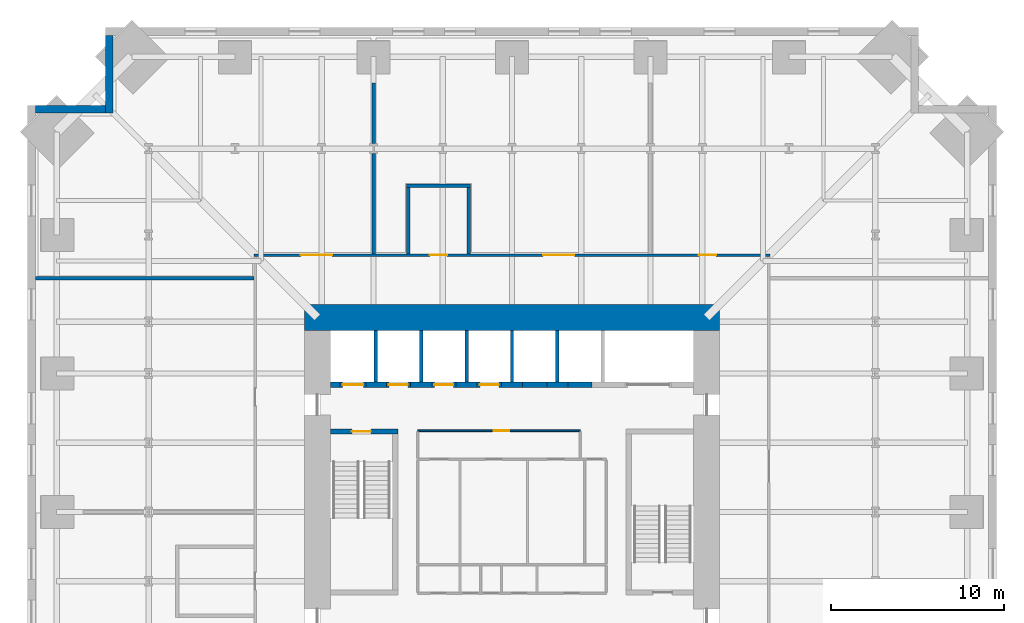
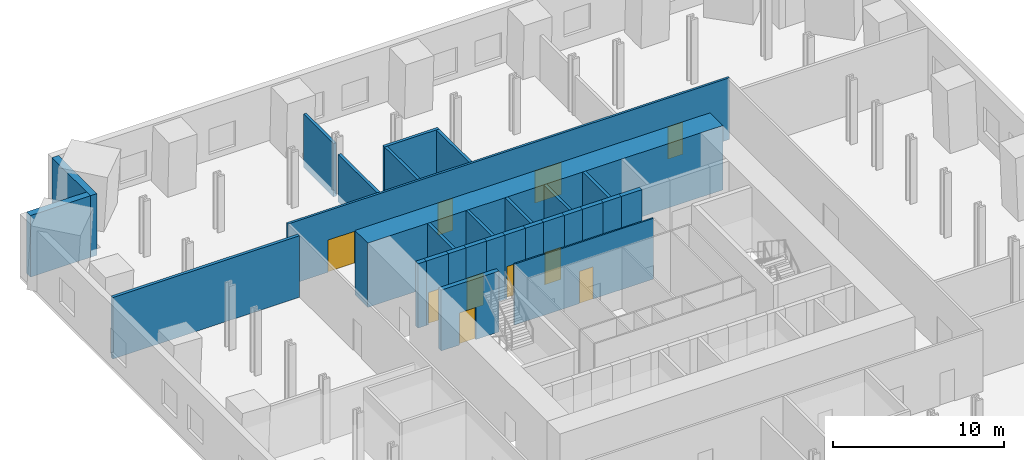
# One storey, part 6 of 8: 29 walls, 10 doors, 10 openings.
"""IFC4 building model written with IfcOpenShell, lengths in metres."""

import ifcopenshell
import ifcopenshell.guid

model = None  # the IFC model being written
_history = None  # IfcOwnerHistory: only IFC2X3 demands one
_inside = {}  # id of a spatial element -> (the spatial element, [elements in it])
_under = {}  # id of a project, library or spatial element -> (it, [spatial elements below it])
_declared = {}  # id of a project -> (the project, [libraries it declares])
_typed = {}  # id of a type object -> (the type object, [elements of that type])
_made_of = {}  # id of a material, layer set ... -> (it, [elements and type objects made of it])


def new_model(schema):
    """Start an empty IFC model of exactly this schema.

    Asked for "IFC4X3", IfcOpenShell would pick the latest addendum, in which some entities
    have other attributes; the version numbers below select the first issue.
    IFC2X3 requires an IfcOwnerHistory on every rooted entity: one is made here for all.
    """
    global model, _history
    if schema == "IFC4X3":
        model = ifcopenshell.file(schema_version=(4, 3, 0, 0))
    else:
        model = ifcopenshell.file(schema=schema)
    _inside.clear()
    _under.clear()
    _declared.clear()
    _typed.clear()
    _made_of.clear()
    _history = None
    if model.schema == "IFC2X3":
        org = make("IfcOrganization", Name="unknown")
        user = make(
            "IfcPersonAndOrganization",
            ThePerson=make("IfcPerson", FamilyName="unknown"),
            TheOrganization=org,
        )
        app = make(
            "IfcApplication",
            ApplicationDeveloper=org,
            Version="unknown",
            ApplicationFullName="unknown",
            ApplicationIdentifier="unknown",
        )
        _history = make(
            "IfcOwnerHistory",
            OwningUser=user,
            OwningApplication=app,
            ChangeAction="ADDED",
            CreationDate=0,
        )
    return model


def make(cls, **values):
    """One entity of the class cls with the attributes given. An attribute that is None is left unset."""
    return model.create_entity(
        cls, **{name: value for name, value in values.items() if value is not None}
    )


def rooted(cls, **values):
    """An entity with a GlobalId (a new one), such as an element, a storey or a relation."""
    return make(cls, GlobalId=ifcopenshell.guid.new(), OwnerHistory=_history, **values)


def si_unit(unit_type, name, prefix=None):
    """IfcSIUnit, for example si_unit("LENGTHUNIT", "METRE", prefix="MILLI")."""
    return make("IfcSIUnit", UnitType=unit_type, Prefix=prefix, Name=name)


def assignment(units):
    """IfcUnitAssignment: the units of a project."""
    return None if units is None else make("IfcUnitAssignment", Units=units)


def point(xyz):
    """IfcCartesianPoint."""
    return None if xyz is None else make("IfcCartesianPoint", Coordinates=xyz)


def direction(xyz):
    """IfcDirection."""
    return None if xyz is None else make("IfcDirection", DirectionRatios=xyz)


def frame(location, z_axis=None, x_axis=None):
    """IfcAxis2Placement3D, a coordinate frame: its origin and axes. An axis left out is left unset."""
    return make(
        "IfcAxis2Placement3D",
        Location=point(location),
        Axis=direction(z_axis),
        RefDirection=direction(x_axis),
    )


def frame_2d(location, x_axis=None):
    """IfcAxis2Placement2D, a coordinate frame in the plane: its origin and x axis."""
    return make(
        "IfcAxis2Placement2D", Location=point(location), RefDirection=direction(x_axis)
    )


def origin():
    """The frame at (0, 0, 0) with its axes left unset."""
    return frame((0.0, 0.0, 0.0))


def place(relative_to, where):
    """IfcLocalPlacement: puts the frame where relative to a parent placement (None: the world)."""
    return make(
        "IfcLocalPlacement", PlacementRelTo=relative_to, RelativePlacement=where
    )


def context(
    kind, dimensions, precision=None, world=None, true_north=None, identifier=None
):
    """IfcGeometricRepresentationContext, for example the 3D "Model" context."""
    return make(
        "IfcGeometricRepresentationContext",
        ContextIdentifier=identifier,
        ContextType=kind,
        CoordinateSpaceDimension=dimensions,
        Precision=precision,
        WorldCoordinateSystem=world,
        TrueNorth=true_north,
    )


def subcontext(parent, identifier, kind, view, scale=None):
    """IfcGeometricRepresentationSubContext, for example "Body" below "Model"."""
    return make(
        "IfcGeometricRepresentationSubContext",
        ContextIdentifier=identifier,
        ContextType=kind,
        ParentContext=parent,
        TargetScale=scale,
        TargetView=view,
    )


def project(units=None, contexts=None):
    """IfcProject with its units and contexts."""
    return rooted(
        "IfcProject",
        Name="project",
        RepresentationContexts=contexts,
        UnitsInContext=assignment(units),
    )


def spatial(cls, under=None, at=None, **own):
    """A site, building, storey or space (cls), placed at a placement, below another one or the project."""
    s = rooted(cls, ObjectPlacement=at, **own)
    if under is not None:
        _under.setdefault(under.id(), (under, []))[1].append(s)
    return s


def profile(cls, at=None, kind="AREA", **sizes):
    """A parametric profile (cls). Its sizes go by their IFC names, for example OverallWidth=200.0."""
    return make(cls, ProfileType=kind, Position=at, **sizes)


def rectangle(**sizes):
    """IfcRectangleProfileDef."""
    return profile("IfcRectangleProfileDef", **sizes)


def extrude(swept, where, along, depth):
    """IfcExtrudedAreaSolid: the profile swept, set in the frame where, extruded along a direction by depth."""
    return make(
        "IfcExtrudedAreaSolid",
        SweptArea=swept,
        Position=where,
        ExtrudedDirection=direction(along),
        Depth=depth,
    )


def shape(context_of_items, identifier, shape_type, items):
    """IfcShapeRepresentation: the items that make up one representation, for example the "Body"."""
    return make(
        "IfcShapeRepresentation",
        ContextOfItems=context_of_items,
        RepresentationIdentifier=identifier,
        RepresentationType=shape_type,
        Items=items,
    )


def material(Name=None, Category=None):
    """IfcMaterial."""
    return make("IfcMaterial", Name=Name, Category=Category)


def layer(
    of_material, thickness, ventilated=None, Name=None, Category=None, Priority=None
):
    """IfcMaterialLayer: one layer of a wall or slab, of a material (None: an air gap)."""
    return make(
        "IfcMaterialLayer",
        Material=of_material,
        LayerThickness=thickness,
        IsVentilated=ventilated,
        Name=Name,
        Category=Category,
        Priority=Priority,
    )


def layer_set(layers, Name=None):
    """IfcMaterialLayerSet."""
    return make("IfcMaterialLayerSet", MaterialLayers=layers, LayerSetName=Name)


def made_of(thing, what):
    """Note that an element or type object is made of a material, layer set ...; save() writes the relation."""
    if what is not None:
        _made_of.setdefault(what.id(), (what, []))[1].append(thing)
    return thing


def type_object(cls, material=None, **own):
    """A type object (cls), such as IfcWallType, which elements share."""
    return made_of(rooted(cls, **own), material)


def element(
    cls,
    number,
    at=None,
    inside=None,
    cuts=None,
    type_object=None,
    material=None,
    context=None,
    identifier="Body",
    shape_type=None,
    held_by="IfcProductDefinitionShape",
    body=None,
    shapes=None,
    **own,
):
    """One element of the class cls, such as IfcWall. Its Tag is "e" and its number.

    at: its placement. inside: the storey or other place that contains it. cuts: it is an
    opening in that element (IfcRelVoidsElement). A single representation is given by context,
    identifier, shape_type and body (its items); several are given by shapes. held_by: the class
    of the entity that holds the representations. save() writes the other relations.
    """
    e = rooted(cls, Tag="e%d" % number, ObjectPlacement=at, **own)
    if body is not None:
        shapes = [shape(context, identifier, shape_type, body)]
    if shapes is not None:
        e.Representation = make(held_by, Representations=shapes)
    if inside is not None:
        _inside.setdefault(inside.id(), (inside, []))[1].append(e)
    if cuts is not None:
        rooted(
            "IfcRelVoidsElement", RelatingBuildingElement=cuts, RelatedOpeningElement=e
        )
    if type_object is not None:
        _typed.setdefault(type_object.id(), (type_object, []))[1].append(e)
    return made_of(e, material)


def fill(opening, filler):
    """IfcRelFillsElement: the door or window that sits in an opening."""
    return rooted(
        "IfcRelFillsElement",
        RelatingOpeningElement=opening,
        RelatedBuildingElement=filler,
    )


def aggregate(whole, parts):
    """IfcRelAggregates: a whole, such as a stair, and the parts it consists of."""
    return rooted("IfcRelAggregates", RelatingObject=whole, RelatedObjects=parts)


def save(model, path):
    """Write the relations noted so far, then the file.

    IfcRelAggregates (storeys below a building ...), IfcRelContainedInSpatialStructure (elements
    in a storey), IfcRelDefinesByType, IfcRelAssociatesMaterial and IfcRelDeclares: one each for
    every whole, place, type object, material and project.
    """
    for whole, parts in _under.values():
        aggregate(whole, parts)
    for where, things in _inside.values():
        rooted(
            "IfcRelContainedInSpatialStructure",
            RelatedElements=things,
            RelatingStructure=where,
        )
    for kind, things in _typed.values():
        rooted("IfcRelDefinesByType", RelatedObjects=things, RelatingType=kind)
    for what, things in _made_of.values():
        rooted("IfcRelAssociatesMaterial", RelatedObjects=things, RelatingMaterial=what)
    for by, libraries in _declared.values():
        rooted("IfcRelDeclares", RelatingContext=by, RelatedDefinitions=libraries)
    model.write(path)


model = new_model("IFC4")

# Units and contexts
model_context = context("Model", 3, precision=1e-05, world=origin(), true_north=direction((0.0, 1.0)))
body_context = subcontext(model_context, "Body", "Model", "MODEL_VIEW")
ifc_project = project(units=[si_unit("LENGTHUNIT", "METRE"), si_unit("AREAUNIT", "SQUARE_METRE"), si_unit("VOLUMEUNIT", "CUBIC_METRE"), si_unit("PLANEANGLEUNIT", "RADIAN"), si_unit("MASSUNIT", "GRAM", prefix="KILO")], contexts=[model_context])

# Site, building, storey
site_placement = place(None, origin())
site = spatial("IfcSite", under=ifc_project, at=site_placement, CompositionType="ELEMENT")
building_placement = place(site_placement, origin())
building = spatial("IfcBuilding", under=site, at=building_placement, Name="Peilmerk Tower", CompositionType="ELEMENT")
storey_placement = place(building_placement, frame((0.0, 0.0, 113.60009765625)))
storey = spatial("IfcBuildingStorey", under=building, at=storey_placement, Name="L22", CompositionType="ELEMENT", Elevation=113.60009765625)

# Walls
ifc_material_1 = material(Name="Precast concrete C45/55, board-marked finish", Category="concrete")
ifc_layer_1 = layer(ifc_material_1, 0.449951171875)
ifc_layer_set_1 = layer_set([ifc_layer_1], Name="Precast concrete C45/55, board-marked finish")
wall_type_1 = type_object("IfcWallType", Name="EW1 450 precast concrete facade wall, board-marked", PredefinedType="SOLIDWALL", material=ifc_layer_set_1)
wall_1_placement = place(storey_placement, frame((-23.27490234375, 23.050048828125, 0.0), z_axis=(0.0, 0.0, 1.0), x_axis=(0.0, 1.0, 0.0)))
element("IfcWall", 1, at=wall_1_placement, inside=storey, type_object=wall_type_1, Name="Facade wall NWA L22", PredefinedType="SOLIDWALL", context=body_context, shape_type="SweptSolid", body=[
    extrude(rectangle(XDim=4.5, YDim=0.449951171875, at=frame_2d((2.25, 0.0))), origin(), (0.0, 0.0, 1.0), 4.39990234375),
])
wall_2_placement = place(storey_placement, frame((-23.5, 23.27490234375, 0.0), z_axis=(0.0, 0.0, 1.0), x_axis=(-1.0, 0.0, 0.0)))
element("IfcWall", 2, at=wall_2_placement, inside=storey, type_object=wall_type_1, Name="Facade wall NWB L22", PredefinedType="SOLIDWALL", context=body_context, shape_type="SweptSolid", body=[
    extrude(rectangle(XDim=4.050048828125, YDim=0.449951171875, at=frame_2d((2.02490234375, 0.0))), origin(), (0.0, 0.0, 1.0), 4.39990234375),
])

# Wall, openings, doors
ifc_material_2 = material(Name="Calcium silicate block", Category="masonry")
ifc_layer_2 = layer(ifc_material_2, 0.14990234375)
ifc_layer_set_2 = layer_set([ifc_layer_2], Name="Calcium silicate block")
wall_type_2 = type_object("IfcWallType", Name="IW1 150 corridor partition, EI 60", PredefinedType="PARTITIONING", material=ifc_layer_set_2)
wall_3_placement = place(storey_placement, frame((-14.925048828125, 14.85009765625, 0.0), z_axis=(0.0, 0.0, 1.0), x_axis=(1.0, 0.0, 0.0)))
wall_3 = element("IfcWall", 3, at=wall_3_placement, inside=storey, type_object=wall_type_2, Name="Corridor wall N L22", PredefinedType="PARTITIONING", context=body_context, shape_type="SweptSolid", body=[
    extrude(rectangle(XDim=29.85009765625, YDim=0.14990234375, at=frame_2d((14.925048828125, 0.0))), origin(), (0.0, 0.0, 1.0), 4.39990234375),
])
opening_1_placement = place(wall_3_placement, frame((2.72509765625, 0.0, 0.0)))
opening_1 = element("IfcOpeningElement", 4, at=opening_1_placement, cuts=wall_3, Name="Opening D2", PredefinedType="OPENING", context=body_context, shape_type="SweptSolid", body=[
    extrude(rectangle(XDim=1.800048828125, YDim=2.300048828125, at=frame_2d((0.89990234375, 1.14990234375))), frame((0.0, 0.0849609375, 0.0), z_axis=(0.0, -1.0, 0.0), x_axis=(1.0, 0.0, 0.0)), (0.0, 0.0, 1.0), 0.169921875),
])
opening_2_placement = place(wall_3_placement, frame((16.72509765625, 0.0, 0.0)))
opening_2 = element("IfcOpeningElement", 5, at=opening_2_placement, cuts=wall_3, Name="Opening D2", PredefinedType="OPENING", context=body_context, shape_type="SweptSolid", body=[
    extrude(rectangle(XDim=1.800048828125, YDim=2.300048828125, at=frame_2d((0.89990234375, 1.14990234375))), frame((0.0, 0.0849609375, 0.0), z_axis=(0.0, -1.0, 0.0), x_axis=(1.0, 0.0, 0.0)), (0.0, 0.0, 1.0), 0.169921875),
])
opening_3_placement = place(wall_3_placement, frame((25.72509765625, 0.0, 0.0)))
opening_3 = element("IfcOpeningElement", 6, at=opening_3_placement, cuts=wall_3, Name="Opening D1", PredefinedType="OPENING", context=body_context, shape_type="SweptSolid", body=[
    extrude(rectangle(XDim=1.0, YDim=2.300048828125, at=frame_2d((0.5, 1.14990234375))), frame((0.0, 0.0849609375, 0.0), z_axis=(0.0, -1.0, 0.0), x_axis=(1.0, 0.0, 0.0)), (0.0, 0.0, 1.0), 0.169921875),
])
opening_4_placement = place(wall_3_placement, frame((10.175048828125, 0.0, 0.0)))
opening_4 = element("IfcOpeningElement", 7, at=opening_4_placement, cuts=wall_3, Name="Opening D1", PredefinedType="OPENING", context=body_context, shape_type="SweptSolid", body=[
    extrude(rectangle(XDim=1.0, YDim=2.300048828125, at=frame_2d((0.5, 1.14990234375))), frame((0.0, 0.0849609375, 0.0), z_axis=(0.0, -1.0, 0.0), x_axis=(1.0, 0.0, 0.0)), (0.0, 0.0, 1.0), 0.169921875),
])
ifc_material_3 = material(Name="Timber door in steel frame", Category="steel")
door_type_1 = type_object("IfcDoorType", Name="D1 1000x2300 room door, EI2 30", OperationType="SINGLE_SWING_LEFT", PredefinedType="DOOR", material=ifc_material_3)
door_1_placement = place(opening_3_placement, origin())
door_1 = element("IfcDoor", 8, at=door_1_placement, inside=storey, type_object=door_type_1, Name="Door Power room L22", OperationType="SINGLE_SWING_LEFT", OverallHeight=2.300048828125, OverallWidth=1.0, PredefinedType="DOOR", context=body_context, shape_type="SweptSolid", body=[
    extrude(rectangle(XDim=1.0, YDim=2.300048828125, at=frame_2d((0.5, 1.14990234375))), frame((0.0, 0.02490234375, 0.0), z_axis=(0.0, -1.0, 0.0), x_axis=(1.0, 0.0, 0.0)), (0.0, 0.0, 1.0), 0.050048828125),
])
fill(opening_3, door_1)
door_2_placement = place(opening_4_placement, origin())
door_2 = element("IfcDoor", 9, at=door_2_placement, inside=storey, type_object=door_type_1, Name="Door Store L22", OperationType="SINGLE_SWING_LEFT", OverallHeight=2.300048828125, OverallWidth=1.0, PredefinedType="DOOR", context=body_context, shape_type="SweptSolid", body=[
    extrude(rectangle(XDim=1.0, YDim=2.300048828125, at=frame_2d((0.5, 1.14990234375))), frame((0.0, 0.02490234375, 0.0), z_axis=(0.0, -1.0, 0.0), x_axis=(1.0, 0.0, 0.0)), (0.0, 0.0, 1.0), 0.050048828125),
])
fill(opening_4, door_2)
ifc_material_4 = material(Name="Steel door in steel frame", Category="steel")
door_type_2 = type_object("IfcDoorType", Name="D2 1800x2300 double door, EI2 60", OperationType="DOUBLE_DOOR_DOUBLE_SWING", PredefinedType="DOOR", material=ifc_material_4)
door_3_placement = place(opening_1_placement, origin())
door_3 = element("IfcDoor", 10, at=door_3_placement, inside=storey, type_object=door_type_2, Name="Door Mobile switching room L22", OperationType="DOUBLE_DOOR_DOUBLE_SWING", OverallHeight=2.300048828125, OverallWidth=1.800048828125, PredefinedType="DOOR", context=body_context, shape_type="SweptSolid", body=[
    extrude(rectangle(XDim=1.800048828125, YDim=2.300048828125, at=frame_2d((0.89990234375, 1.14990234375))), frame((0.0, 0.02490234375, 0.0), z_axis=(0.0, -1.0, 0.0), x_axis=(1.0, 0.0, 0.0)), (0.0, 0.0, 1.0), 0.050048828125),
])
fill(opening_1, door_3)
door_4_placement = place(opening_2_placement, origin())
door_4 = element("IfcDoor", 11, at=door_4_placement, inside=storey, type_object=door_type_2, Name="Door Transmission room L22", OperationType="DOUBLE_DOOR_DOUBLE_SWING", OverallHeight=2.300048828125, OverallWidth=1.800048828125, PredefinedType="DOOR", context=body_context, shape_type="SweptSolid", body=[
    extrude(rectangle(XDim=1.800048828125, YDim=2.300048828125, at=frame_2d((0.89990234375, 1.14990234375))), frame((0.0, 0.02490234375, 0.0), z_axis=(0.0, -1.0, 0.0), x_axis=(1.0, 0.0, 0.0)), (0.0, 0.0, 1.0), 0.050048828125),
])
fill(opening_2, door_4)

# Walls
ifc_layer_3 = layer(ifc_material_2, 0.199951171875)
ifc_layer_set_3 = layer_set([ifc_layer_3], Name="Calcium silicate block")
wall_type_3 = type_object("IfcWallType", Name="IW2 200 room separating wall, EI 120", PredefinedType="PARTITIONING", material=ifc_layer_set_3)
wall_4_placement = place(storey_placement, frame((-27.550048828125, 13.5, 0.0), z_axis=(0.0, 0.0, 1.0), x_axis=(1.0, 0.0, 0.0)))
element("IfcWall", 12, at=wall_4_placement, inside=storey, type_object=wall_type_3, Name="Room separating wall NW L22", PredefinedType="PARTITIONING", context=body_context, shape_type="SweptSolid", body=[
    extrude(rectangle(XDim=12.625, YDim=0.199951171875, at=frame_2d((6.3125, 0.0))), origin(), (0.0, 0.0, 1.0), 4.39990234375),
])
wall_5_placement = place(storey_placement, frame((-8.0, 14.925048828125, 0.0), z_axis=(0.0, 0.0, 1.0), x_axis=(0.0, 1.0, 0.0)))
element("IfcWall", 13, at=wall_5_placement, inside=storey, type_object=wall_type_3, Name="Room separating wall N1 L22", PredefinedType="PARTITIONING", context=body_context, shape_type="SweptSolid", body=[
    extrude(rectangle(XDim=5.79052734375, YDim=0.199951171875, at=frame_2d((2.895263671875, 0.0))), origin(), (0.0, 0.0, 1.0), 3.391845703125),
])
wall_6_placement = place(storey_placement, frame((-8.0, 21.284423828125, 0.0), z_axis=(0.0, 0.0, 1.0), x_axis=(0.0, 1.0, 0.0)))
element("IfcWall", 14, at=wall_6_placement, inside=storey, type_object=wall_type_3, Name="Room separating wall N1b L22", PredefinedType="PARTITIONING", context=body_context, shape_type="SweptSolid", body=[
    extrude(rectangle(XDim=3.502685546875, YDim=0.199951171875, at=frame_2d((1.75146484375, 0.0))), origin(), (0.0, 0.0, 1.0), 3.809814453125),
])
wall_7_placement = place(storey_placement, frame((-6.10009765625, 18.85009765625, 0.0), z_axis=(0.0, 0.0, 1.0), x_axis=(1.0, 0.0, 0.0)))
element("IfcWall", 15, at=wall_7_placement, inside=storey, type_object=wall_type_3, Name="Room separating wall Store L22", PredefinedType="PARTITIONING", context=body_context, shape_type="SweptSolid", body=[
    extrude(rectangle(XDim=3.7001953125, YDim=0.199951171875, at=frame_2d((1.85009765625, 0.0))), origin(), (0.0, 0.0, 1.0), 4.39990234375),
])
for number, where, z_axis, x_axis, name in (
    (16, (-6.0, 14.925048828125, 0.0), (0.0, 0.0, 1.0), (0.0, 1.0, 0.0), "Room separating wall Store L22"),
    (17, (-2.5, 14.925048828125, 0.0), (0.0, 0.0, 1.0), (0.0, 1.0, 0.0), "Room separating wall Store L22"),
):
    element("IfcWall", number, at=place(storey_placement, frame(where, z_axis=z_axis, x_axis=x_axis)), inside=storey, type_object=wall_type_3, Name=name, PredefinedType="PARTITIONING", context=body_context, shape_type="SweptSolid", body=[
        extrude(rectangle(XDim=3.824951171875, YDim=0.199951171875, at=frame_2d((1.91259765625, 0.0))), origin(), (0.0, 0.0, 1.0), 4.39990234375),
    ])

# Wall, opening, door
ifc_material_5 = material(Name="Concrete C35/45", Category="concrete")
ifc_layer_4 = layer(ifc_material_5, 0.300048828125)
ifc_layer_set_4 = layer_set([ifc_layer_4], Name="Concrete C35/45")
wall_type_4 = type_object("IfcWallType", Name="IW3 300 concrete stair enclosure wall, EI 120", PredefinedType="SOLIDWALL", material=ifc_layer_set_4)
wall_8_placement = place(storey_placement, frame((-10.5, 4.64990234375, 0.0), z_axis=(0.0, 0.0, 1.0), x_axis=(1.0, 0.0, 0.0)))
wall_8 = element("IfcWall", 18, at=wall_8_placement, inside=storey, type_object=wall_type_4, Name="Stair 1 enclosure L22", PredefinedType="SOLIDWALL", context=body_context, shape_type="SweptSolid", body=[
    extrude(rectangle(XDim=3.89990234375, YDim=0.300048828125, at=frame_2d((1.949951171875, 0.0))), origin(), (0.0, 0.0, 1.0), 4.349853515625),
])
opening_5_placement = place(wall_8_placement, frame((1.25, 0.0, 0.0)))
opening_5 = element("IfcOpeningElement", 19, at=opening_5_placement, cuts=wall_8, Name="Opening D4", PredefinedType="OPENING", context=body_context, shape_type="SweptSolid", body=[
    extrude(rectangle(XDim=1.10009765625, YDim=2.300048828125, at=frame_2d((0.550048828125, 1.14990234375))), frame((0.0, 0.159912109375, 0.0), z_axis=(0.0, -1.0, 0.0), x_axis=(1.0, 0.0, 0.0)), (0.0, 0.0, 1.0), 0.320068359375),
])
door_type_3 = type_object("IfcDoorType", Name="D4 1100x2300 stair door, EI2 60", OperationType="SINGLE_SWING_RIGHT", PredefinedType="DOOR", material=ifc_material_4)
door_5_placement = place(opening_5_placement, frame((1.10009765625, 0.0, 0.0), z_axis=(0.0, 0.0, 1.0), x_axis=(-1.0, 0.0, 0.0)))
door_5 = element("IfcDoor", 20, at=door_5_placement, inside=storey, type_object=door_type_3, Name="Stair 1 door L22", OperationType="SINGLE_SWING_RIGHT", OverallHeight=2.300048828125, OverallWidth=1.10009765625, PredefinedType="DOOR", context=body_context, shape_type="SweptSolid", body=[
    extrude(rectangle(XDim=1.10009765625, YDim=2.300048828125, at=frame_2d((0.550048828125, 1.14990234375))), frame((0.0, 0.02490234375, 0.0), z_axis=(0.0, -1.0, 0.0), x_axis=(1.0, 0.0, 0.0)), (0.0, 0.0, 1.0), 0.050048828125),
])
fill(opening_5, door_5)

ifc_material_6 = material(Name="Fire-resisting plasterboard on steel studs", Category="steel")
ifc_layer_5 = layer(ifc_material_6, 0.10009765625)
ifc_layer_set_5 = layer_set([ifc_layer_5], Name="Fire-resisting plasterboard on steel studs")
wall_type_5 = type_object("IfcWallType", Name="IW9 100 WC lobby wall, EI 30", PredefinedType="PARTITIONING", material=ifc_layer_set_5)
wall_9_placement = place(storey_placement, frame((-5.449951171875, 4.699951171875, 0.0), z_axis=(0.0, 0.0, 1.0), x_axis=(1.0, 0.0, 0.0)))
wall_9 = element("IfcWall", 21, at=wall_9_placement, inside=storey, type_object=wall_type_5, Name="WC lobby wall L22", PredefinedType="PARTITIONING", context=body_context, shape_type="SweptSolid", body=[
    extrude(rectangle(XDim=9.39990234375, YDim=0.10009765625, at=frame_2d((4.699951171875, 0.0))), origin(), (0.0, 0.0, 1.0), 4.349853515625),
])
opening_6_placement = place(wall_9_placement, frame((4.39990234375, 0.0, 0.0)))
opening_6 = element("IfcOpeningElement", 22, at=opening_6_placement, cuts=wall_9, Name="Opening D11", PredefinedType="OPENING", context=body_context, shape_type="SweptSolid", body=[
    extrude(rectangle(XDim=0.89990234375, YDim=2.300048828125, at=frame_2d((0.449951171875, 1.14990234375))), frame((0.0, 0.06005859375, 0.0), z_axis=(0.0, -1.0, 0.0), x_axis=(1.0, 0.0, 0.0)), (0.0, 0.0, 1.0), 0.1201171875),
])
door_type_4 = type_object("IfcDoorType", Name="D11 900x2300 WC lobby door, EI2 30", OperationType="SINGLE_SWING_LEFT", PredefinedType="DOOR", material=ifc_material_3)
door_6_placement = place(opening_6_placement, frame((0.89990234375, 0.0, 0.0), z_axis=(0.0, 0.0, 1.0), x_axis=(-1.0, 0.0, 0.0)))
door_6 = element("IfcDoor", 23, at=door_6_placement, inside=storey, type_object=door_type_4, Name="WC lobby door L22", OperationType="SINGLE_SWING_LEFT", OverallHeight=2.300048828125, OverallWidth=0.89990234375, PredefinedType="DOOR", context=body_context, shape_type="SweptSolid", body=[
    extrude(rectangle(XDim=0.89990234375, YDim=2.300048828125, at=frame_2d((0.449951171875, 1.14990234375))), frame((0.0, 0.02490234375, 0.0), z_axis=(0.0, -1.0, 0.0), x_axis=(1.0, 0.0, 0.0)), (0.0, 0.0, 1.0), 0.050048828125),
])
fill(opening_6, door_6)

# Walls
ifc_layer_6 = layer(ifc_material_2, 0.199951171875)
ifc_layer_set_6 = layer_set([ifc_layer_6], Name="Calcium silicate block")
wall_type_6 = type_object("IfcWallType", Name="SH1 200 shaft dividing wall, EI 120", PredefinedType="PARTITIONING", material=ifc_layer_set_6)
for number, where, z_axis, x_axis, name in (
    (24, (-7.875, 7.5, 0.0), (0.0, 0.0, 1.0), (0.0, 1.0, 0.0), "Shaft wall N FL1 L22"),
    (25, (-5.25, 7.5, 0.0), (0.0, 0.0, 1.0), (0.0, 1.0, 0.0), "Shaft wall N A1 L22"),
    (26, (-2.625, 7.5, 0.0), (0.0, 0.0, 1.0), (0.0, 1.0, 0.0), "Shaft wall N A2 L22"),
    (27, (0.0, 7.5, 0.0), (0.0, 0.0, 1.0), (0.0, 1.0, 0.0), "Shaft wall N A3 L22"),
    (28, (2.625, 7.5, 0.0), (0.0, 0.0, 1.0), (0.0, 1.0, 0.0), "Shaft wall N S1 L22"),
):
    element("IfcWall", number, at=place(storey_placement, frame(where, z_axis=z_axis, x_axis=x_axis)), inside=storey, type_object=wall_type_6, Name=name, PredefinedType="PARTITIONING", context=body_context, shape_type="SweptSolid", body=[
        extrude(rectangle(XDim=3.0, YDim=0.199951171875, at=frame_2d((1.5, 0.0))), origin(), (0.0, 0.0, 1.0), 4.599853515625),
    ])

# Wall, opening, door
ifc_layer_7 = layer(ifc_material_2, 0.300048828125)
ifc_layer_set_7 = layer_set([ifc_layer_7], Name="Calcium silicate block")
wall_type_7 = type_object("IfcWallType", Name="SH2 300 lift landing door panel, EI 120", PredefinedType="PARTITIONING", material=ifc_layer_set_7)
wall_10_placement = place(storey_placement, frame((-9.9375, 7.35009765625, 0.0), z_axis=(0.0, 0.0, 1.0), x_axis=(1.0, 0.0, 0.0)))
wall_10 = element("IfcWall", 29, at=wall_10_placement, inside=storey, type_object=wall_type_7, Name="Lift door panel N FL1 L22", PredefinedType="PARTITIONING", context=body_context, shape_type="SweptSolid", body=[
    extrude(rectangle(XDim=1.5, YDim=0.300048828125, at=frame_2d((0.75, 0.0))), origin(), (0.0, 0.0, 1.0), 4.599853515625),
])
opening_7_placement = place(wall_10_placement, frame((0.14990234375, 0.0, 0.0)))
opening_7 = element("IfcOpeningElement", 30, at=opening_7_placement, cuts=wall_10, Name="Opening LD2", PredefinedType="OPENING", context=body_context, shape_type="SweptSolid", body=[
    extrude(rectangle(XDim=1.199951171875, YDim=2.300048828125, at=frame_2d((0.60009765625, 1.14990234375))), frame((0.0, 0.159912109375, 0.0), z_axis=(0.0, -1.0, 0.0), x_axis=(1.0, 0.0, 0.0)), (0.0, 0.0, 1.0), 0.320068359375),
])
ifc_material_7 = material(Name="Stainless steel landing door", Category="steel")
door_type_5 = type_object("IfcDoorType", Name="LD2 1200x2300 lift landing door, sliding, EI2 60", OperationType="SLIDING_TO_LEFT", PredefinedType="DOOR", material=ifc_material_7)
door_7_placement = place(opening_7_placement, frame((1.199951171875, 0.0, 0.0), z_axis=(0.0, 0.0, 1.0), x_axis=(-1.0, 0.0, 0.0)))
door_7 = element("IfcDoor", 31, at=door_7_placement, inside=storey, type_object=door_type_5, Name="Lift landing door FL1 L22", OperationType="SLIDING_TO_LEFT", OverallHeight=2.300048828125, OverallWidth=1.199951171875, PredefinedType="DOOR", context=body_context, shape_type="SweptSolid", body=[
    extrude(rectangle(XDim=1.199951171875, YDim=2.300048828125, at=frame_2d((0.60009765625, 1.14990234375))), frame((0.0, 0.02490234375, 0.0), z_axis=(0.0, -1.0, 0.0), x_axis=(1.0, 0.0, 0.0)), (0.0, 0.0, 1.0), 0.050048828125),
])
fill(opening_7, door_7)

wall_11_placement = place(storey_placement, frame((-7.262451171875, 7.35009765625, 0.0), z_axis=(0.0, 0.0, 1.0), x_axis=(1.0, 0.0, 0.0)))
wall_11 = element("IfcWall", 32, at=wall_11_placement, inside=storey, type_object=wall_type_7, Name="Lift door panel N A1 L22", PredefinedType="PARTITIONING", context=body_context, shape_type="SweptSolid", body=[
    extrude(rectangle(XDim=1.39990234375, YDim=0.300048828125, at=frame_2d((0.699951171875, 0.0))), origin(), (0.0, 0.0, 1.0), 4.599853515625),
])
opening_8_placement = place(wall_11_placement, frame((0.14990234375, 0.0, 0.0)))
opening_8 = element("IfcOpeningElement", 33, at=opening_8_placement, cuts=wall_11, Name="Opening LD1", PredefinedType="OPENING", context=body_context, shape_type="SweptSolid", body=[
    extrude(rectangle(XDim=1.10009765625, YDim=2.300048828125, at=frame_2d((0.550048828125, 1.14990234375))), frame((0.0, 0.159912109375, 0.0), z_axis=(0.0, -1.0, 0.0), x_axis=(1.0, 0.0, 0.0)), (0.0, 0.0, 1.0), 0.320068359375),
])
door_type_6 = type_object("IfcDoorType", Name="LD1 1100x2300 lift landing door, sliding, EI2 60", OperationType="SLIDING_TO_LEFT", PredefinedType="DOOR", material=ifc_material_7)
door_8_placement = place(opening_8_placement, frame((1.10009765625, 0.0, 0.0), z_axis=(0.0, 0.0, 1.0), x_axis=(-1.0, 0.0, 0.0)))
door_8 = element("IfcDoor", 34, at=door_8_placement, inside=storey, type_object=door_type_6, Name="Lift landing door A1 L22", OperationType="SLIDING_TO_LEFT", OverallHeight=2.300048828125, OverallWidth=1.10009765625, PredefinedType="DOOR", context=body_context, shape_type="SweptSolid", body=[
    extrude(rectangle(XDim=1.10009765625, YDim=2.300048828125, at=frame_2d((0.550048828125, 1.14990234375))), frame((0.0, 0.02490234375, 0.0), z_axis=(0.0, -1.0, 0.0), x_axis=(1.0, 0.0, 0.0)), (0.0, 0.0, 1.0), 0.050048828125),
])
fill(opening_8, door_8)

wall_12_placement = place(storey_placement, frame((-4.637451171875, 7.35009765625, 0.0), z_axis=(0.0, 0.0, 1.0), x_axis=(1.0, 0.0, 0.0)))
wall_12 = element("IfcWall", 35, at=wall_12_placement, inside=storey, type_object=wall_type_7, Name="Lift door panel N A2 L22", PredefinedType="PARTITIONING", context=body_context, shape_type="SweptSolid", body=[
    extrude(rectangle(XDim=1.39990234375, YDim=0.300048828125, at=frame_2d((0.699951171875, 0.0))), origin(), (0.0, 0.0, 1.0), 4.599853515625),
])
opening_9_placement = place(wall_12_placement, frame((0.14990234375, 0.0, 0.0)))
opening_9 = element("IfcOpeningElement", 36, at=opening_9_placement, cuts=wall_12, Name="Opening LD1", PredefinedType="OPENING", context=body_context, shape_type="SweptSolid", body=[
    extrude(rectangle(XDim=1.10009765625, YDim=2.300048828125, at=frame_2d((0.550048828125, 1.14990234375))), frame((0.0, 0.159912109375, 0.0), z_axis=(0.0, -1.0, 0.0), x_axis=(1.0, 0.0, 0.0)), (0.0, 0.0, 1.0), 0.320068359375),
])
door_9_placement = place(opening_9_placement, frame((1.10009765625, 0.0, 0.0), z_axis=(0.0, 0.0, 1.0), x_axis=(-1.0, 0.0, 0.0)))
door_9 = element("IfcDoor", 37, at=door_9_placement, inside=storey, type_object=door_type_6, Name="Lift landing door A2 L22", OperationType="SLIDING_TO_LEFT", OverallHeight=2.300048828125, OverallWidth=1.10009765625, PredefinedType="DOOR", context=body_context, shape_type="SweptSolid", body=[
    extrude(rectangle(XDim=1.10009765625, YDim=2.300048828125, at=frame_2d((0.550048828125, 1.14990234375))), frame((0.0, 0.02490234375, 0.0), z_axis=(0.0, -1.0, 0.0), x_axis=(1.0, 0.0, 0.0)), (0.0, 0.0, 1.0), 0.050048828125),
])
fill(opening_9, door_9)

wall_13_placement = place(storey_placement, frame((-2.012451171875, 7.35009765625, 0.0), z_axis=(0.0, 0.0, 1.0), x_axis=(1.0, 0.0, 0.0)))
wall_13 = element("IfcWall", 38, at=wall_13_placement, inside=storey, type_object=wall_type_7, Name="Lift door panel N A3 L22", PredefinedType="PARTITIONING", context=body_context, shape_type="SweptSolid", body=[
    extrude(rectangle(XDim=1.39990234375, YDim=0.300048828125, at=frame_2d((0.699951171875, 0.0))), origin(), (0.0, 0.0, 1.0), 4.599853515625),
])
opening_10_placement = place(wall_13_placement, frame((0.14990234375, 0.0, 0.0)))
opening_10 = element("IfcOpeningElement", 39, at=opening_10_placement, cuts=wall_13, Name="Opening LD1", PredefinedType="OPENING", context=body_context, shape_type="SweptSolid", body=[
    extrude(rectangle(XDim=1.10009765625, YDim=2.300048828125, at=frame_2d((0.550048828125, 1.14990234375))), frame((0.0, 0.159912109375, 0.0), z_axis=(0.0, -1.0, 0.0), x_axis=(1.0, 0.0, 0.0)), (0.0, 0.0, 1.0), 0.320068359375),
])
door_10_placement = place(opening_10_placement, frame((1.10009765625, 0.0, 0.0), z_axis=(0.0, 0.0, 1.0), x_axis=(-1.0, 0.0, 0.0)))
door_10 = element("IfcDoor", 40, at=door_10_placement, inside=storey, type_object=door_type_6, Name="Lift landing door A3 L22", OperationType="SLIDING_TO_LEFT", OverallHeight=2.300048828125, OverallWidth=1.10009765625, PredefinedType="DOOR", context=body_context, shape_type="SweptSolid", body=[
    extrude(rectangle(XDim=1.10009765625, YDim=2.300048828125, at=frame_2d((0.550048828125, 1.14990234375))), frame((0.0, 0.02490234375, 0.0), z_axis=(0.0, -1.0, 0.0), x_axis=(1.0, 0.0, 0.0)), (0.0, 0.0, 1.0), 0.050048828125),
])
fill(opening_10, door_10)

# Walls
for number, where, z_axis, x_axis, name in (
    (41, (0.612548828125, 7.35009765625, 0.0), (0.0, 0.0, 1.0), (1.0, 0.0, 0.0), "Lift door panel N S1 L22"),
    (42, (3.237548828125, 7.35009765625, 0.0), (0.0, 0.0, 1.0), (1.0, 0.0, 0.0), "Lift door panel N S2 L22"),
):
    element("IfcWall", number, at=place(storey_placement, frame(where, z_axis=z_axis, x_axis=x_axis)), inside=storey, type_object=wall_type_7, Name=name, PredefinedType="PARTITIONING", context=body_context, shape_type="SweptSolid", body=[
        extrude(rectangle(XDim=1.39990234375, YDim=0.300048828125, at=frame_2d((0.699951171875, 0.0))), origin(), (0.0, 0.0, 1.0), 4.599853515625),
    ])
ifc_material_8 = material(Name="Concrete C55/67", Category="concrete")
ifc_layer_8 = layer(ifc_material_8, 1.5)
ifc_layer_set_8 = layer_set([ifc_layer_8], Name="Concrete C55/67")
wall_type_8 = type_object("IfcWallType", Name="SW1 1500 core wall", PredefinedType="SHEAR", material=ifc_layer_set_8)
wall_14_placement = place(storey_placement, frame((-12.0, 11.25, 0.0), z_axis=(0.0, 0.0, 1.0), x_axis=(1.0, 0.0, 0.0)))
element("IfcWall", 43, at=wall_14_placement, inside=storey, type_object=wall_type_8, Name="Core wall N L22", PredefinedType="SHEAR", context=body_context, shape_type="SweptSolid", body=[
    extrude(rectangle(XDim=24.0, YDim=1.5, at=frame_2d((12.0, 0.0))), origin(), (0.0, 0.0, 1.0), 4.599853515625),
])
ifc_layer_9 = layer(ifc_material_8, 0.300048828125)
ifc_layer_set_9 = layer_set([ifc_layer_9], Name="Concrete C55/67")
wall_type_9 = type_object("IfcWallType", Name="SW2 300 lift bank pier", PredefinedType="SHEAR", material=ifc_layer_set_9)
wall_15_placement = place(storey_placement, frame((-10.5, 7.35009765625, 0.0), z_axis=(0.0, 0.0, 1.0), x_axis=(1.0, 0.0, 0.0)))
element("IfcWall", 44, at=wall_15_placement, inside=storey, type_object=wall_type_9, Name="Lift bank pier N L22", PredefinedType="SHEAR", context=body_context, shape_type="SweptSolid", body=[
    extrude(rectangle(XDim=0.5625, YDim=0.300048828125, at=frame_2d((0.28125, 0.0))), origin(), (0.0, 0.0, 1.0), 4.599853515625),
])
wall_16_placement = place(storey_placement, frame((-8.4375, 7.35009765625, 0.0), z_axis=(0.0, 0.0, 1.0), x_axis=(1.0, 0.0, 0.0)))
element("IfcWall", 45, at=wall_16_placement, inside=storey, type_object=wall_type_9, Name="Lift bank pier N L22", PredefinedType="SHEAR", context=body_context, shape_type="SweptSolid", body=[
    extrude(rectangle(XDim=1.175048828125, YDim=0.300048828125, at=frame_2d((0.58740234375, 0.0))), origin(), (0.0, 0.0, 1.0), 4.599853515625),
])
for number, where, z_axis, x_axis, name in (
    (46, (-5.862548828125, 7.35009765625, 0.0), (0.0, 0.0, 1.0), (1.0, 0.0, 0.0), "Lift bank pier N L22"),
    (47, (-3.237548828125, 7.35009765625, 0.0), (0.0, 0.0, 1.0), (1.0, 0.0, 0.0), "Lift bank pier N L22"),
    (48, (-0.612548828125, 7.35009765625, 0.0), (0.0, 0.0, 1.0), (1.0, 0.0, 0.0), "Lift bank pier N L22"),
    (49, (2.012451171875, 7.35009765625, 0.0), (0.0, 0.0, 1.0), (1.0, 0.0, 0.0), "Lift bank pier N L22"),
):
    element("IfcWall", number, at=place(storey_placement, frame(where, z_axis=z_axis, x_axis=x_axis)), inside=storey, type_object=wall_type_9, Name=name, PredefinedType="SHEAR", context=body_context, shape_type="SweptSolid", body=[
        extrude(rectangle(XDim=1.22509765625, YDim=0.300048828125, at=frame_2d((0.612548828125, 0.0))), origin(), (0.0, 0.0, 1.0), 4.599853515625),
    ])

save(model, "model.ifc")
